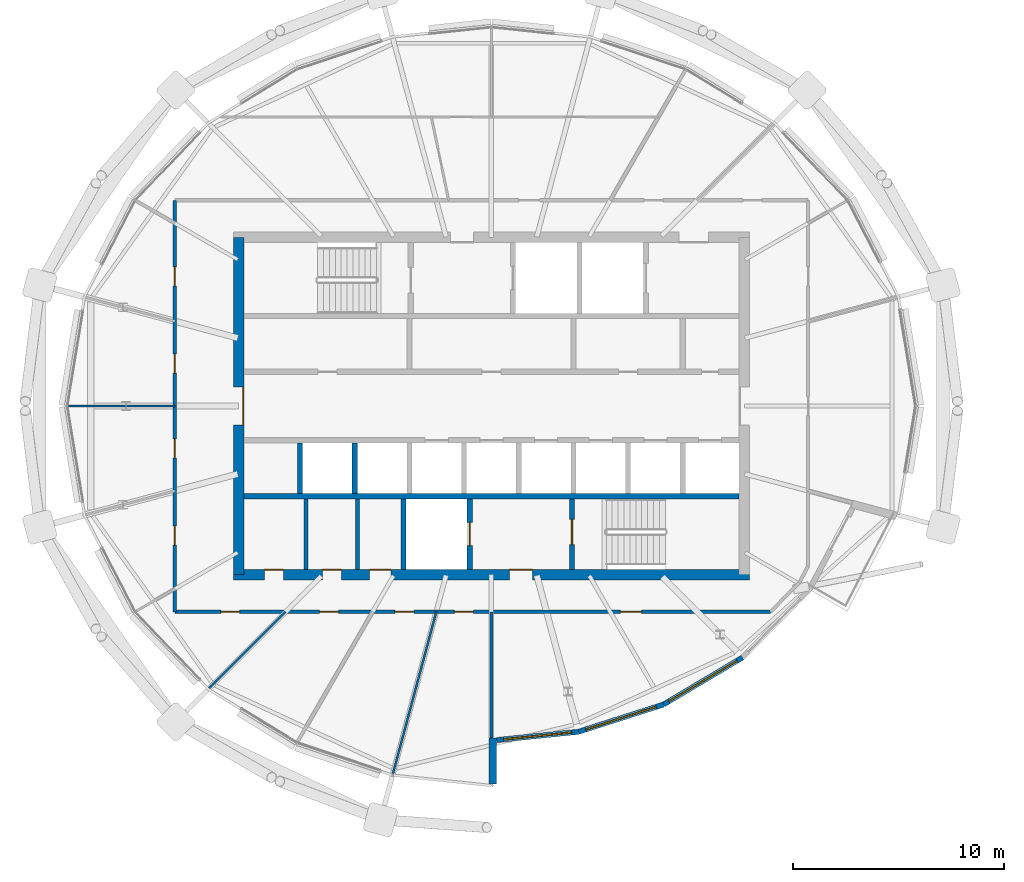
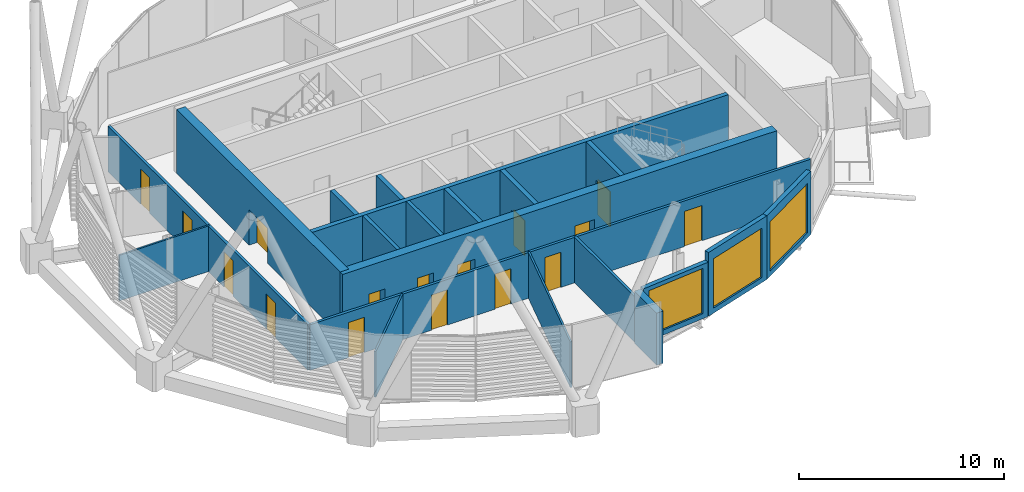
# One storey, part 18 of 31: 20 walls, 16 doors, 3 windows, 19 openings.
"""IFC4 building model written with IfcOpenShell, lengths in metres."""

from ifc_helpers import new_model, si_unit, direction, frame, frame_2d, origin, place, context, subcontext, project, spatial, rectangle, extrude, material, layer, layer_set, type_object, element, fill, save


model = new_model("IFC4")

# Units and contexts
model_context = context("Model", 3, precision=1e-05, world=origin(), true_north=direction((0.0, 1.0)))
body_context = subcontext(model_context, "Body", "Model", "MODEL_VIEW")
ifc_project = project(units=[si_unit("LENGTHUNIT", "METRE"), si_unit("AREAUNIT", "SQUARE_METRE"), si_unit("VOLUMEUNIT", "CUBIC_METRE"), si_unit("PLANEANGLEUNIT", "RADIAN"), si_unit("MASSUNIT", "GRAM", prefix="KILO")], contexts=[model_context])

# Site, building, storey
site_placement = place(None, origin())
site = spatial("IfcSite", under=ifc_project, at=site_placement, CompositionType="ELEMENT")
building_placement = place(site_placement, origin())
building = spatial("IfcBuilding", under=site, at=building_placement, Name="Rimbun Link Towers", CompositionType="ELEMENT")
storey_placement = place(building_placement, frame((0.0, 0.0, 244.699951171875)))
storey = spatial("IfcBuildingStorey", under=building, at=storey_placement, Name="L60", CompositionType="ELEMENT", Elevation=244.699951171875)

# Wall, opening, window
ifc_material_1 = material(Name="Dark enamelled glass spandrel on insulated aluminium backpan", Category="aluminium")
ifc_layer_1 = layer(ifc_material_1, 0.25)
ifc_layer_set_1 = layer_set([ifc_layer_1], Name="CS dark enamelled spandrel wall 250")
wall_type_1 = type_object("IfcWallType", Name="CS dark enamelled spandrel wall 250", PredefinedType="STANDARD", material=ifc_layer_set_1)
wall_1_placement = place(storey_placement, frame((-27.615234375, -15.45849609375, 0.0), z_axis=(0.0, 0.0, 1.0), x_axis=(-0.994869903882, -0.101162613404, 0.0)))
wall_1 = element("IfcWall", 1, at=wall_1_placement, inside=storey, type_object=wall_type_1, Name="Crease spandrel wall", PredefinedType="STANDARD", context=body_context, shape_type="SweptSolid", body=[
    extrude(rectangle(XDim=3.90478515625, YDim=0.25, at=frame_2d((1.952392578125, 0.0))), origin(), (0.0, 0.0, 1.0), 3.24365234375),
])
opening_1_placement = place(wall_1_placement, frame((0.327392578125, 0.0, 0.300048828125)))
opening_1 = element("IfcOpeningElement", 2, at=opening_1_placement, cuts=wall_1, Name="Opening WR32H270", PredefinedType="OPENING", context=body_context, shape_type="SweptSolid", body=[
    extrude(rectangle(XDim=3.25, YDim=2.699951171875, at=frame_2d((1.625, 1.35009765625))), frame((0.0, 0.135009765625, 0.0), z_axis=(0.0, -1.0, 0.0), x_axis=(1.0, 0.0, 0.0)), (0.0, 0.0, 1.0), 0.27001953125),
])
ifc_material_2 = material(Name="Aluminium framed fixed window, dark tinted low-e glass", Category="aluminium")
window_type_1 = type_object("IfcWindowType", Name="WR ribbon window 3250X2700", PartitioningType="SINGLE_PANEL", PredefinedType="WINDOW", material=ifc_material_2)
window_1_placement = place(opening_1_placement, origin())
window_1 = element("IfcWindow", 3, at=window_1_placement, inside=storey, type_object=window_type_1, Name="Crease ribbon window", OverallHeight=2.699951171875, OverallWidth=3.25, PartitioningType="SINGLE_PANEL", PredefinedType="WINDOW", context=body_context, shape_type="SweptSolid", body=[
    extrude(rectangle(XDim=3.25, YDim=2.699951171875, at=frame_2d((1.625, 1.35009765625))), frame((0.0, 0.030029296875, 0.0), z_axis=(0.0, -1.0, 0.0), x_axis=(1.0, 0.0, 0.0)), (0.0, 0.0, 1.0), 0.06005859375),
])
fill(opening_1, window_1)

wall_2_placement = place(storey_placement, frame((-23.5849609375, -14.167236328125, 0.0), z_axis=(0.0, 0.0, 1.0), x_axis=(-0.952316246709, -0.305112710737, 0.0)))
wall_2 = element("IfcWall", 4, at=wall_2_placement, inside=storey, type_object=wall_type_1, Name="Crease spandrel wall", PredefinedType="STANDARD", context=body_context, shape_type="SweptSolid", body=[
    extrude(rectangle(XDim=4.232177734375, YDim=0.25, at=frame_2d((2.1162109375, 0.0))), origin(), (0.0, 0.0, 1.0), 3.800048828125),
])
opening_2_placement = place(wall_2_placement, frame((0.365966796875, 0.0, 0.300048828125)))
opening_2 = element("IfcOpeningElement", 5, at=opening_2_placement, cuts=wall_2, Name="Opening WR35H295", PredefinedType="OPENING", context=body_context, shape_type="SweptSolid", body=[
    extrude(rectangle(XDim=3.5, YDim=2.949951171875, at=frame_2d((1.75, 1.47509765625))), frame((0.0, 0.135009765625, 0.0), z_axis=(0.0, -1.0, 0.0), x_axis=(1.0, 0.0, 0.0)), (0.0, 0.0, 1.0), 0.27001953125),
])
ifc_material_3 = material(Name="Aluminium framed fixed window, dark tinted low-e glass", Category="aluminium")
window_type_2 = type_object("IfcWindowType", Name="WR ribbon window 3500X2950", PartitioningType="SINGLE_PANEL", PredefinedType="WINDOW", material=ifc_material_3)
window_2_placement = place(opening_2_placement, origin())
window_2 = element("IfcWindow", 6, at=window_2_placement, inside=storey, type_object=window_type_2, Name="Crease ribbon window", OverallHeight=2.949951171875, OverallWidth=3.5, PartitioningType="SINGLE_PANEL", PredefinedType="WINDOW", context=body_context, shape_type="SweptSolid", body=[
    extrude(rectangle(XDim=3.5, YDim=2.949951171875, at=frame_2d((1.75, 1.47509765625))), frame((0.0, 0.030029296875, 0.0), z_axis=(0.0, -1.0, 0.0), x_axis=(1.0, 0.0, 0.0)), (0.0, 0.0, 1.0), 0.06005859375),
])
fill(opening_2, window_2)

wall_3_placement = place(storey_placement, frame((-19.8359375, -11.935546875, 0.0), z_axis=(0.0, 0.0, 1.0), x_axis=(-0.859280001548, -0.511505502354, 0.0)))
wall_3 = element("IfcWall", 7, at=wall_3_placement, inside=storey, type_object=wall_type_1, Name="Crease spandrel wall", PredefinedType="STANDARD", context=body_context, shape_type="SweptSolid", body=[
    extrude(rectangle(XDim=4.363037109375, YDim=0.25, at=frame_2d((2.181640625, 0.0))), origin(), (0.0, 0.0, 1.0), 3.800048828125),
])
opening_3_placement = place(wall_3_placement, frame((0.306640625, 0.0, 0.300048828125)))
opening_3 = element("IfcOpeningElement", 8, at=opening_3_placement, cuts=wall_3, Name="Opening WR38H295", PredefinedType="OPENING", context=body_context, shape_type="SweptSolid", body=[
    extrude(rectangle(XDim=3.75, YDim=2.949951171875, at=frame_2d((1.875, 1.47509765625))), frame((0.0, 0.135009765625, 0.0), z_axis=(0.0, -1.0, 0.0), x_axis=(1.0, 0.0, 0.0)), (0.0, 0.0, 1.0), 0.27001953125),
])
ifc_material_4 = material(Name="Aluminium framed fixed window, dark tinted low-e glass", Category="aluminium")
window_type_3 = type_object("IfcWindowType", Name="WR ribbon window 3750X2950", PartitioningType="SINGLE_PANEL", PredefinedType="WINDOW", material=ifc_material_4)
window_3_placement = place(opening_3_placement, origin())
window_3 = element("IfcWindow", 9, at=window_3_placement, inside=storey, type_object=window_type_3, Name="Crease ribbon window", OverallHeight=2.949951171875, OverallWidth=3.75, PartitioningType="SINGLE_PANEL", PredefinedType="WINDOW", context=body_context, shape_type="SweptSolid", body=[
    extrude(rectangle(XDim=3.75, YDim=2.949951171875, at=frame_2d((1.875, 1.47509765625))), frame((0.0, 0.030029296875, 0.0), z_axis=(0.0, -1.0, 0.0), x_axis=(1.0, 0.0, 0.0)), (0.0, 0.0, 1.0), 0.06005859375),
])
fill(opening_3, window_3)

# Walls
ifc_material_5 = material(Name="Dark enamelled glass spandrel on insulated aluminium backpan", Category="aluminium")
ifc_layer_2 = layer(ifc_material_5, 0.3701171875)
ifc_layer_set_2 = layer_set([ifc_layer_2], Name="CS dark enamelled spandrel wall 370")
wall_type_2 = type_object("IfcWallType", Name="CS dark enamelled spandrel wall 370", PredefinedType="STANDARD", material=ifc_layer_set_2)
wall_4_placement = place(storey_placement, frame((-31.68505859375, -15.75341796875, 0.0), z_axis=(0.0, 0.0, 1.0), x_axis=(0.0, -1.0, 0.0)))
element("IfcWall", 10, at=wall_4_placement, inside=storey, type_object=wall_type_2, Name="Crease spandrel wall", PredefinedType="STANDARD", context=body_context, shape_type="SweptSolid", body=[
    extrude(rectangle(XDim=2.179931640625, YDim=0.3701171875, at=frame_2d((1.08984375, 0.0))), origin(), (0.0, 0.0, 1.0), 3.116943359375),
])
ifc_material_6 = material(Name="Masonry blockwork", Category="masonry")
ifc_layer_3 = layer(ifc_material_6, 0.199951171875)
ifc_layer_set_3 = layer_set([ifc_layer_3], Name="Core partition 200")
wall_type_3 = type_object("IfcWallType", Name="Core partition 200", PredefinedType="PARTITIONING", material=ifc_layer_set_3)
for number, where, z_axis, x_axis, name in (
    (11, (-40.550048828125, -4.39990234375, 0.0), (0.0, 0.0, 1.0), (0.0, -1.0, 0.0), "L60 T1 core wall C1"),
    (12, (-38.10009765625, -4.39990234375, 0.0), (0.0, 0.0, 1.0), (0.0, -1.0, 0.0), "L60 T1 core wall C2"),
):
    element("IfcWall", number, at=place(storey_placement, frame(where, z_axis=z_axis, x_axis=x_axis)), inside=storey, type_object=wall_type_3, Name=name, PredefinedType="PARTITIONING", context=body_context, shape_type="SweptSolid", body=[
        extrude(rectangle(XDim=3.35009765625, YDim=0.199951171875, at=frame_2d((1.675048828125, 0.0))), origin(), (0.0, 0.0, 1.0), 3.800048828125),
    ])

# Wall, openings, doors
ifc_material_7 = material(Name="Concrete C60/75", Category="concrete")
ifc_layer_4 = layer(ifc_material_7, 0.5)
ifc_layer_set_4 = layer_set([ifc_layer_4], Name="Core shear wall 500")
wall_type_4 = type_object("IfcWallType", Name="Core shear wall 500", PredefinedType="SHEAR", material=ifc_layer_set_4)
wall_5_placement = place(storey_placement, frame((-44.0, -8.0, 0.0), z_axis=(0.0, 0.0, 1.0), x_axis=(1.0, 0.0, 0.0)))
wall_5 = element("IfcWall", 13, at=wall_5_placement, inside=storey, type_object=wall_type_4, Name="L60 T1 core wall S", PredefinedType="SHEAR", context=body_context, shape_type="SweptSolid", body=[
    extrude(rectangle(XDim=24.5, YDim=0.5, at=frame_2d((12.25, 0.0))), origin(), (0.0, 0.0, 1.0), 3.800048828125),
])
opening_4_placement = place(wall_5_placement, frame((13.10009765625, 0.0, 0.0)))
opening_4 = element("IfcOpeningElement", 14, at=opening_4_placement, cuts=wall_5, Name="Opening C1DCF01S", PredefinedType="OPENING", context=body_context, shape_type="SweptSolid", body=[
    extrude(rectangle(XDim=1.10009765625, YDim=2.10009765625, at=frame_2d((0.550048828125, 1.050048828125))), frame((0.0, 0.260009765625, 0.0), z_axis=(0.0, -1.0, 0.0), x_axis=(1.0, 0.0, 0.0)), (0.0, 0.0, 1.0), 0.52001953125),
])
opening_5_placement = place(wall_5_placement, frame((1.47509765625, 0.0, 0.0)))
opening_5 = element("IfcOpeningElement", 15, at=opening_5_placement, cuts=wall_5, Name="Opening C1DWC02S", PredefinedType="OPENING", context=body_context, shape_type="SweptSolid", body=[
    extrude(rectangle(XDim=0.89990234375, YDim=2.10009765625, at=frame_2d((0.449951171875, 1.050048828125))), frame((0.0, 0.260009765625, 0.0), z_axis=(0.0, -1.0, 0.0), x_axis=(1.0, 0.0, 0.0)), (0.0, 0.0, 1.0), 0.52001953125),
])
opening_6_placement = place(wall_5_placement, frame((4.22509765625, 0.0, 0.0)))
opening_6 = element("IfcOpeningElement", 16, at=opening_6_placement, cuts=wall_5, Name="Opening C1DWC03S", PredefinedType="OPENING", context=body_context, shape_type="SweptSolid", body=[
    extrude(rectangle(XDim=0.89990234375, YDim=2.10009765625, at=frame_2d((0.449951171875, 1.050048828125))), frame((0.0, 0.260009765625, 0.0), z_axis=(0.0, -1.0, 0.0), x_axis=(1.0, 0.0, 0.0)), (0.0, 0.0, 1.0), 0.52001953125),
])
opening_7_placement = place(wall_5_placement, frame((6.47509765625, 0.0, 0.0)))
opening_7 = element("IfcOpeningElement", 17, at=opening_7_placement, cuts=wall_5, Name="Opening C1DAW04S", PredefinedType="OPENING", context=body_context, shape_type="SweptSolid", body=[
    extrude(rectangle(XDim=1.0, YDim=2.10009765625, at=frame_2d((0.5, 1.050048828125))), frame((0.0, 0.260009765625, 0.0), z_axis=(0.0, -1.0, 0.0), x_axis=(1.0, 0.0, 0.0)), (0.0, 0.0, 1.0), 0.52001953125),
])
ifc_material_8 = material(Name="Timber", Category="wood")
door_type_1 = type_object("IfcDoorType", Name="Accessible WC door", OperationType="SINGLE_SWING_LEFT", PredefinedType="DOOR", material=ifc_material_8)
door_1_placement = place(opening_7_placement, origin())
door_1 = element("IfcDoor", 18, at=door_1_placement, inside=storey, type_object=door_type_1, Name="L60 T1 accessible wc door", OperationType="SINGLE_SWING_RIGHT", OverallHeight=2.10009765625, OverallWidth=1.0, PredefinedType="DOOR", context=body_context, shape_type="SweptSolid", body=[
    extrude(rectangle(XDim=1.0, YDim=2.10009765625, at=frame_2d((0.5, 1.050048828125))), frame((0.0, 0.25, 0.0), z_axis=(0.0, -1.0, 0.0), x_axis=(1.0, 0.0, 0.0)), (0.0, 0.0, 1.0), 0.050048828125),
])
fill(opening_7, door_1)
ifc_material_9 = material(Name="Steel fire door set", Category="steel")
door_type_2 = type_object("IfcDoorType", Name="Core fire door single", OperationType="SINGLE_SWING_LEFT", PredefinedType="DOOR", material=ifc_material_9)
door_2_placement = place(opening_4_placement, origin())
door_2 = element("IfcDoor", 19, at=door_2_placement, inside=storey, type_object=door_type_2, Name="L60 T1 firefighting lobby s door", OperationType="SINGLE_SWING_RIGHT", OverallHeight=2.10009765625, OverallWidth=1.10009765625, PredefinedType="DOOR", context=body_context, shape_type="SweptSolid", body=[
    extrude(rectangle(XDim=1.10009765625, YDim=2.10009765625, at=frame_2d((0.550048828125, 1.050048828125))), frame((0.0, 0.25, 0.0), z_axis=(0.0, -1.0, 0.0), x_axis=(1.0, 0.0, 0.0)), (0.0, 0.0, 1.0), 0.050048828125),
])
fill(opening_4, door_2)
ifc_material_10 = material(Name="Timber", Category="wood")
door_type_3 = type_object("IfcDoorType", Name="WC door", OperationType="SINGLE_SWING_LEFT", PredefinedType="DOOR", material=ifc_material_10)
door_3_placement = place(opening_5_placement, origin())
door_3 = element("IfcDoor", 20, at=door_3_placement, inside=storey, type_object=door_type_3, Name="L60 T1 male wc door", OperationType="SINGLE_SWING_LEFT", OverallHeight=2.10009765625, OverallWidth=0.89990234375, PredefinedType="DOOR", context=body_context, shape_type="SweptSolid", body=[
    extrude(rectangle(XDim=0.89990234375, YDim=2.10009765625, at=frame_2d((0.449951171875, 1.050048828125))), frame((0.0, 0.25, 0.0), z_axis=(0.0, -1.0, 0.0), x_axis=(1.0, 0.0, 0.0)), (0.0, 0.0, 1.0), 0.050048828125),
])
fill(opening_5, door_3)
door_4_placement = place(opening_6_placement, origin())
door_4 = element("IfcDoor", 21, at=door_4_placement, inside=storey, type_object=door_type_3, Name="L60 T1 female wc door", OperationType="SINGLE_SWING_RIGHT", OverallHeight=2.10009765625, OverallWidth=0.89990234375, PredefinedType="DOOR", context=body_context, shape_type="SweptSolid", body=[
    extrude(rectangle(XDim=0.89990234375, YDim=2.10009765625, at=frame_2d((0.449951171875, 1.050048828125))), frame((0.0, 0.25, 0.0), z_axis=(0.0, -1.0, 0.0), x_axis=(1.0, 0.0, 0.0)), (0.0, 0.0, 1.0), 0.050048828125),
])
fill(opening_6, door_4)

# Wall, opening, door
wall_6_placement = place(storey_placement, frame((-43.75, -8.0, 0.0), z_axis=(0.0, 0.0, 1.0), x_axis=(0.0, 1.0, 0.0)))
wall_6 = element("IfcWall", 22, at=wall_6_placement, inside=storey, type_object=wall_type_4, Name="L60 T1 core wall W", PredefinedType="SHEAR", context=body_context, shape_type="SweptSolid", body=[
    extrude(rectangle(XDim=16.0, YDim=0.5, at=frame_2d((8.0, 0.0))), origin(), (0.0, 0.0, 1.0), 3.800048828125),
])
opening_8_placement = place(wall_6_placement, frame((7.10009765625, 0.0, 0.0)))
opening_8 = element("IfcOpeningElement", 23, at=opening_8_placement, cuts=wall_6, Name="Opening C1DCL01W", PredefinedType="OPENING", context=body_context, shape_type="SweptSolid", body=[
    extrude(rectangle(XDim=1.800048828125, YDim=2.10009765625, at=frame_2d((0.89990234375, 1.050048828125))), frame((0.0, 0.260009765625, 0.0), z_axis=(0.0, -1.0, 0.0), x_axis=(1.0, 0.0, 0.0)), (0.0, 0.0, 1.0), 0.52001953125),
])
ifc_material_11 = material(Name="Steel fire door set", Category="steel")
door_type_4 = type_object("IfcDoorType", Name="Core lobby door double", OperationType="DOUBLE_DOOR_SINGLE_SWING", PredefinedType="DOOR", material=ifc_material_11)
door_5_placement = place(opening_8_placement, origin())
door_5 = element("IfcDoor", 24, at=door_5_placement, inside=storey, type_object=door_type_4, Name="L60 T1 lift lobby door", OperationType="DOUBLE_DOOR_SINGLE_SWING", OverallHeight=2.10009765625, OverallWidth=1.800048828125, PredefinedType="DOOR", context=body_context, shape_type="SweptSolid", body=[
    extrude(rectangle(XDim=1.800048828125, YDim=2.10009765625, at=frame_2d((0.89990234375, 1.050048828125))), frame((0.0, -0.2001953125, 0.0), z_axis=(0.0, -1.0, 0.0), x_axis=(1.0, 0.0, 0.0)), (0.0, 0.0, 1.0), 0.050048828125),
])
fill(opening_8, door_5)

# Wall, openings, doors
ifc_material_12 = material(Name="Plasterboard on steel stud, mineral wool", Category="steel")
ifc_layer_5 = layer(ifc_material_12, 0.14990234375)
ifc_layer_set_5 = layer_set([ifc_layer_5], Name="Corridor wall EI 30 150 mm")
wall_type_5 = type_object("IfcWallType", Name="Corridor wall EI 30 150 mm", PredefinedType="PARTITIONING", material=ifc_layer_set_5)
wall_7_placement = place(storey_placement, frame((-46.77490234375, -9.764892578125, 0.0), z_axis=(0.0, 0.0, 1.0), x_axis=(0.0, 1.0, 0.0)))
wall_7 = element("IfcWall", 25, at=wall_7_placement, inside=storey, type_object=wall_type_5, Name="Corridor wall EI 30 150 mm", PredefinedType="PARTITIONING", context=body_context, shape_type="SweptSolid", body=[
    extrude(rectangle(XDim=19.52978515625, YDim=0.14990234375, at=frame_2d((9.764892578125, 0.0))), origin(), (0.0, 0.0, 1.0), 2.72216796875),
])
opening_9_placement = place(wall_7_placement, frame((15.468017578125, 0.0, 0.0)))
opening_9 = element("IfcOpeningElement", 26, at=opening_9_placement, cuts=wall_7, Name="Opening D02", PredefinedType="OPENING", context=body_context, shape_type="SweptSolid", body=[
    extrude(rectangle(XDim=0.89990234375, YDim=2.10009765625, at=frame_2d((0.449951171875, 1.050048828125))), frame((0.0, 0.0849609375, 0.0), z_axis=(0.0, -1.0, 0.0), x_axis=(1.0, 0.0, 0.0)), (0.0, 0.0, 1.0), 0.169921875),
])
opening_10_placement = place(wall_7_placement, frame((11.327880859375, 0.0, 0.0)))
opening_10 = element("IfcOpeningElement", 27, at=opening_10_placement, cuts=wall_7, Name="Opening D02", PredefinedType="OPENING", context=body_context, shape_type="SweptSolid", body=[
    extrude(rectangle(XDim=0.89990234375, YDim=2.10009765625, at=frame_2d((0.449951171875, 1.050048828125))), frame((0.0, 0.0849609375, 0.0), z_axis=(0.0, -1.0, 0.0), x_axis=(1.0, 0.0, 0.0)), (0.0, 0.0, 1.0), 0.169921875),
])
opening_11_placement = place(wall_7_placement, frame((7.302001953125, 0.0, 0.0)))
opening_11 = element("IfcOpeningElement", 28, at=opening_11_placement, cuts=wall_7, Name="Opening D02", PredefinedType="OPENING", context=body_context, shape_type="SweptSolid", body=[
    extrude(rectangle(XDim=0.89990234375, YDim=2.10009765625, at=frame_2d((0.449951171875, 1.050048828125))), frame((0.0, 0.0849609375, 0.0), z_axis=(0.0, -1.0, 0.0), x_axis=(1.0, 0.0, 0.0)), (0.0, 0.0, 1.0), 0.169921875),
])
opening_12_placement = place(wall_7_placement, frame((3.162109375, 0.0, 0.0)))
opening_12 = element("IfcOpeningElement", 29, at=opening_12_placement, cuts=wall_7, Name="Opening D02", PredefinedType="OPENING", context=body_context, shape_type="SweptSolid", body=[
    extrude(rectangle(XDim=0.89990234375, YDim=2.10009765625, at=frame_2d((0.449951171875, 1.050048828125))), frame((0.0, 0.0849609375, 0.0), z_axis=(0.0, -1.0, 0.0), x_axis=(1.0, 0.0, 0.0)), (0.0, 0.0, 1.0), 0.169921875),
])
ifc_material_13 = material(Name="Fire-resisting timber door leaf", Category="wood")
door_type_5 = type_object("IfcDoorType", Name="Fire door FD30S 900", OperationType="NOTDEFINED", PredefinedType="DOOR", material=ifc_material_13)
door_6_placement = place(opening_9_placement, origin())
door_6 = element("IfcDoor", 30, at=door_6_placement, inside=storey, type_object=door_type_5, Name="Fire door FD30S 900 to Meeting room", OperationType="SINGLE_SWING_RIGHT", OverallHeight=2.10009765625, OverallWidth=0.89990234375, PredefinedType="DOOR", context=body_context, shape_type="SweptSolid", body=[
    extrude(rectangle(XDim=0.89990234375, YDim=2.10009765625, at=frame_2d((0.449951171875, 1.050048828125))), frame((0.0, 0.02490234375, 0.0), z_axis=(0.0, -1.0, 0.0), x_axis=(1.0, 0.0, 0.0)), (0.0, 0.0, 1.0), 0.050048828125),
])
fill(opening_9, door_6)
door_7_placement = place(opening_10_placement, origin())
door_7 = element("IfcDoor", 31, at=door_7_placement, inside=storey, type_object=door_type_5, Name="Fire door FD30S 900 to Print room", OperationType="SINGLE_SWING_LEFT", OverallHeight=2.10009765625, OverallWidth=0.89990234375, PredefinedType="DOOR", context=body_context, shape_type="SweptSolid", body=[
    extrude(rectangle(XDim=0.89990234375, YDim=2.10009765625, at=frame_2d((0.449951171875, 1.050048828125))), frame((0.0, 0.02490234375, 0.0), z_axis=(0.0, -1.0, 0.0), x_axis=(1.0, 0.0, 0.0)), (0.0, 0.0, 1.0), 0.050048828125),
])
fill(opening_10, door_7)
door_8_placement = place(opening_11_placement, origin())
door_8 = element("IfcDoor", 32, at=door_8_placement, inside=storey, type_object=door_type_5, Name="Fire door FD30S 900 to Open office", OperationType="SINGLE_SWING_RIGHT", OverallHeight=2.10009765625, OverallWidth=0.89990234375, PredefinedType="DOOR", context=body_context, shape_type="SweptSolid", body=[
    extrude(rectangle(XDim=0.89990234375, YDim=2.10009765625, at=frame_2d((0.449951171875, 1.050048828125))), frame((0.0, 0.02490234375, 0.0), z_axis=(0.0, -1.0, 0.0), x_axis=(1.0, 0.0, 0.0)), (0.0, 0.0, 1.0), 0.050048828125),
])
fill(opening_11, door_8)
door_9_placement = place(opening_12_placement, origin())
door_9 = element("IfcDoor", 33, at=door_9_placement, inside=storey, type_object=door_type_5, Name="Fire door FD30S 900 to Meeting room", OperationType="SINGLE_SWING_LEFT", OverallHeight=2.10009765625, OverallWidth=0.89990234375, PredefinedType="DOOR", context=body_context, shape_type="SweptSolid", body=[
    extrude(rectangle(XDim=0.89990234375, YDim=2.10009765625, at=frame_2d((0.449951171875, 1.050048828125))), frame((0.0, 0.02490234375, 0.0), z_axis=(0.0, -1.0, 0.0), x_axis=(1.0, 0.0, 0.0)), (0.0, 0.0, 1.0), 0.050048828125),
])
fill(opening_12, door_9)

wall_8_placement = place(storey_placement, frame((-18.5029296875, -9.764892578125, 0.0), z_axis=(0.0, 0.0, 1.0), x_axis=(-1.0, 0.0, 0.0)))
wall_8 = element("IfcWall", 34, at=wall_8_placement, inside=storey, type_object=wall_type_5, Name="Corridor wall EI 30 150 mm", PredefinedType="PARTITIONING", context=body_context, shape_type="SweptSolid", body=[
    extrude(rectangle(XDim=28.27197265625, YDim=0.14990234375, at=frame_2d((14.135986328125, 0.0))), origin(), (0.0, 0.0, 1.0), 2.72216796875),
])
opening_13_placement = place(wall_8_placement, frame((25.19189453125, 0.0, 0.0)))
opening_13 = element("IfcOpeningElement", 35, at=opening_13_placement, cuts=wall_8, Name="Opening D02", PredefinedType="OPENING", context=body_context, shape_type="SweptSolid", body=[
    extrude(rectangle(XDim=0.89990234375, YDim=2.10009765625, at=frame_2d((0.449951171875, 1.050048828125))), frame((0.0, 0.0849609375, 0.0), z_axis=(0.0, -1.0, 0.0), x_axis=(1.0, 0.0, 0.0)), (0.0, 0.0, 1.0), 0.169921875),
])
opening_14_placement = place(wall_8_placement, frame((20.498291015625, 0.0, 0.0)))
opening_14 = element("IfcOpeningElement", 36, at=opening_14_placement, cuts=wall_8, Name="Opening D02", PredefinedType="OPENING", context=body_context, shape_type="SweptSolid", body=[
    extrude(rectangle(XDim=0.89990234375, YDim=2.10009765625, at=frame_2d((0.449951171875, 1.050048828125))), frame((0.0, 0.0849609375, 0.0), z_axis=(0.0, -1.0, 0.0), x_axis=(1.0, 0.0, 0.0)), (0.0, 0.0, 1.0), 0.169921875),
])
opening_15_placement = place(wall_8_placement, frame((16.92431640625, 0.0, 0.0)))
opening_15 = element("IfcOpeningElement", 37, at=opening_15_placement, cuts=wall_8, Name="Opening D02", PredefinedType="OPENING", context=body_context, shape_type="SweptSolid", body=[
    extrude(rectangle(XDim=0.89990234375, YDim=2.10009765625, at=frame_2d((0.449951171875, 1.050048828125))), frame((0.0, 0.0849609375, 0.0), z_axis=(0.0, -1.0, 0.0), x_axis=(1.0, 0.0, 0.0)), (0.0, 0.0, 1.0), 0.169921875),
])
opening_16_placement = place(wall_8_placement, frame((14.105224609375, 0.0, 0.0)))
opening_16 = element("IfcOpeningElement", 38, at=opening_16_placement, cuts=wall_8, Name="Opening D02", PredefinedType="OPENING", context=body_context, shape_type="SweptSolid", body=[
    extrude(rectangle(XDim=0.89990234375, YDim=2.10009765625, at=frame_2d((0.449951171875, 1.050048828125))), frame((0.0, 0.0849609375, 0.0), z_axis=(0.0, -1.0, 0.0), x_axis=(1.0, 0.0, 0.0)), (0.0, 0.0, 1.0), 0.169921875),
])
opening_17_placement = place(wall_8_placement, frame((6.12353515625, 0.0, 0.0)))
opening_17 = element("IfcOpeningElement", 39, at=opening_17_placement, cuts=wall_8, Name="Opening D01", PredefinedType="OPENING", context=body_context, shape_type="SweptSolid", body=[
    extrude(rectangle(XDim=1.0, YDim=2.10009765625, at=frame_2d((0.5, 1.050048828125))), frame((0.0, 0.0849609375, 0.0), z_axis=(0.0, -1.0, 0.0), x_axis=(1.0, 0.0, 0.0)), (0.0, 0.0, 1.0), 0.169921875),
])
ifc_material_14 = material(Name="Fire-resisting timber door leaf", Category="wood")
door_type_6 = type_object("IfcDoorType", Name="Fire door FD30S 1000", OperationType="NOTDEFINED", PredefinedType="DOOR", material=ifc_material_14)
door_10_placement = place(opening_17_placement, origin())
door_10 = element("IfcDoor", 40, at=door_10_placement, inside=storey, type_object=door_type_6, Name="Fire door FD30S 1000 to Terrace office", OperationType="SINGLE_SWING_RIGHT", OverallHeight=2.10009765625, OverallWidth=1.0, PredefinedType="DOOR", context=body_context, shape_type="SweptSolid", body=[
    extrude(rectangle(XDim=1.0, YDim=2.10009765625, at=frame_2d((0.5, 1.050048828125))), frame((0.0, 0.02490234375, 0.0), z_axis=(0.0, -1.0, 0.0), x_axis=(1.0, 0.0, 0.0)), (0.0, 0.0, 1.0), 0.050048828125),
])
fill(opening_17, door_10)
door_11_placement = place(opening_13_placement, origin())
door_11 = element("IfcDoor", 41, at=door_11_placement, inside=storey, type_object=door_type_5, Name="Fire door FD30S 900 to Print room", OperationType="SINGLE_SWING_RIGHT", OverallHeight=2.10009765625, OverallWidth=0.89990234375, PredefinedType="DOOR", context=body_context, shape_type="SweptSolid", body=[
    extrude(rectangle(XDim=0.89990234375, YDim=2.10009765625, at=frame_2d((0.449951171875, 1.050048828125))), frame((0.0, 0.02490234375, 0.0), z_axis=(0.0, -1.0, 0.0), x_axis=(1.0, 0.0, 0.0)), (0.0, 0.0, 1.0), 0.050048828125),
])
fill(opening_13, door_11)
door_12_placement = place(opening_14_placement, origin())
door_12 = element("IfcDoor", 42, at=door_12_placement, inside=storey, type_object=door_type_5, Name="Fire door FD30S 900 to Open office", OperationType="SINGLE_SWING_LEFT", OverallHeight=2.10009765625, OverallWidth=0.89990234375, PredefinedType="DOOR", context=body_context, shape_type="SweptSolid", body=[
    extrude(rectangle(XDim=0.89990234375, YDim=2.10009765625, at=frame_2d((0.449951171875, 1.050048828125))), frame((0.0, 0.02490234375, 0.0), z_axis=(0.0, -1.0, 0.0), x_axis=(1.0, 0.0, 0.0)), (0.0, 0.0, 1.0), 0.050048828125),
])
fill(opening_14, door_12)
door_13_placement = place(opening_15_placement, origin())
door_13 = element("IfcDoor", 43, at=door_13_placement, inside=storey, type_object=door_type_5, Name="Fire door FD30S 900 to Meeting room", OperationType="SINGLE_SWING_RIGHT", OverallHeight=2.10009765625, OverallWidth=0.89990234375, PredefinedType="DOOR", context=body_context, shape_type="SweptSolid", body=[
    extrude(rectangle(XDim=0.89990234375, YDim=2.10009765625, at=frame_2d((0.449951171875, 1.050048828125))), frame((0.0, 0.02490234375, 0.0), z_axis=(0.0, -1.0, 0.0), x_axis=(1.0, 0.0, 0.0)), (0.0, 0.0, 1.0), 0.050048828125),
])
fill(opening_15, door_13)
door_14_placement = place(opening_16_placement, origin())
door_14 = element("IfcDoor", 44, at=door_14_placement, inside=storey, type_object=door_type_5, Name="Fire door FD30S 900 to Meeting room", OperationType="SINGLE_SWING_LEFT", OverallHeight=2.10009765625, OverallWidth=0.89990234375, PredefinedType="DOOR", context=body_context, shape_type="SweptSolid", body=[
    extrude(rectangle(XDim=0.89990234375, YDim=2.10009765625, at=frame_2d((0.449951171875, 1.050048828125))), frame((0.0, 0.02490234375, 0.0), z_axis=(0.0, -1.0, 0.0), x_axis=(1.0, 0.0, 0.0)), (0.0, 0.0, 1.0), 0.050048828125),
])
fill(opening_16, door_14)

# Walls
ifc_material_15 = material(Name="Plasterboard on steel stud", Category="steel")
ifc_layer_6 = layer(ifc_material_15, 0.10009765625)
ifc_layer_set_6 = layer_set([ifc_layer_6], Name="Plasterboard partition 100 mm")
wall_type_6 = type_object("IfcWallType", Name="Plasterboard partition 100 mm", PredefinedType="PARTITIONING", material=ifc_layer_set_6)
wall_9_placement = place(storey_placement, frame((-51.857666015625, 0.0, 0.0), z_axis=(0.0, 0.0, 1.0), x_axis=(1.0, 0.0, 0.0)))
element("IfcWall", 45, at=wall_9_placement, inside=storey, type_object=wall_type_6, Name="Plasterboard partition 100 mm", PredefinedType="PARTITIONING", context=body_context, shape_type="SweptSolid", body=[
    extrude(rectangle(XDim=5.082763671875, YDim=0.10009765625, at=frame_2d((2.54150390625, 0.0))), origin(), (0.0, 0.0, 1.0), 2.72216796875),
])
wall_10_placement = place(storey_placement, frame((-45.14208984375, -13.39208984375, 0.0), z_axis=(0.0, 0.0, 1.0), x_axis=(0.707106781187, 0.707106781187, 0.0)))
element("IfcWall", 46, at=wall_10_placement, inside=storey, type_object=wall_type_6, Name="Plasterboard partition 100 mm", PredefinedType="PARTITIONING", context=body_context, shape_type="SweptSolid", body=[
    extrude(rectangle(XDim=5.129638671875, YDim=0.10009765625, at=frame_2d((2.56494140625, 0.0))), origin(), (0.0, 0.0, 1.0), 2.72216796875),
])
wall_11_placement = place(storey_placement, frame((-36.428466796875, -17.460693359375, 0.0), z_axis=(0.0, 0.0, 1.0), x_axis=(0.258810626858, 0.965928081912, 0.0)))
element("IfcWall", 47, at=wall_11_placement, inside=storey, type_object=wall_type_6, Name="Plasterboard partition 100 mm", PredefinedType="PARTITIONING", context=body_context, shape_type="SweptSolid", body=[
    extrude(rectangle(XDim=7.96728515625, YDim=0.10009765625, at=frame_2d((3.983642578125, 0.0))), origin(), (0.0, 0.0, 1.0), 2.72216796875),
])
ifc_material_16 = material(Name="Concrete C60/75", Category="concrete")
ifc_layer_7 = layer(ifc_material_16, 0.25)
ifc_layer_set_7 = layer_set([ifc_layer_7], Name="Shaft wall 250")
wall_type_7 = type_object("IfcWallType", Name="Shaft wall 250", PredefinedType="SHEAR", material=ifc_layer_set_7)
wall_12_placement = place(storey_placement, frame((-43.5, -4.27490234375, 0.0), z_axis=(0.0, 0.0, 1.0), x_axis=(1.0, 0.0, 0.0)))
element("IfcWall", 48, at=wall_12_placement, inside=storey, type_object=wall_type_7, Name="L60 T1 core wall BS", PredefinedType="SHEAR", context=body_context, shape_type="SweptSolid", body=[
    extrude(rectangle(XDim=23.5, YDim=0.25, at=frame_2d((11.75, 0.0))), origin(), (0.0, 0.0, 1.0), 3.800048828125),
])
for number, where, z_axis, x_axis, name in (
    (49, (-40.83056640625, -4.14990234375, 0.0), (0.0, 0.0, 1.0), (0.0, 1.0, 0.0), "L60 T1 core wall DS0"),
    (50, (-38.236083984375, -4.14990234375, 0.0), (0.0, 0.0, 1.0), (0.0, 1.0, 0.0), "L60 T1 core wall DS1"),
):
    element("IfcWall", number, at=place(storey_placement, frame(where, z_axis=z_axis, x_axis=x_axis)), inside=storey, type_object=wall_type_7, Name=name, PredefinedType="SHEAR", context=body_context, shape_type="SweptSolid", body=[
        extrude(rectangle(XDim=2.39990234375, YDim=0.25, at=frame_2d((1.199951171875, 0.0))), origin(), (0.0, 0.0, 1.0), 3.800048828125),
    ])

# Wall, opening, door
wall_13_placement = place(storey_placement, frame((-27.925048828125, -4.39990234375, 0.0), z_axis=(0.0, 0.0, 1.0), x_axis=(0.0, -1.0, 0.0)))
wall_13 = element("IfcWall", 51, at=wall_13_placement, inside=storey, type_object=wall_type_7, Name="L60 T1 core wall B1", PredefinedType="SHEAR", context=body_context, shape_type="SweptSolid", body=[
    extrude(rectangle(XDim=3.35009765625, YDim=0.25, at=frame_2d((1.675048828125, 0.0))), origin(), (0.0, 0.0, 1.0), 3.800048828125),
])
opening_18_placement = place(wall_13_placement, frame((0.97509765625, 0.0, 0.0)))
opening_18 = element("IfcOpeningElement", 52, at=opening_18_placement, cuts=wall_13, Name="Opening C1DST01B1", PredefinedType="OPENING", context=body_context, shape_type="SweptSolid", body=[
    extrude(rectangle(XDim=1.199951171875, YDim=2.10009765625, at=frame_2d((0.60009765625, 1.050048828125))), frame((0.0, 0.135009765625, 0.0), z_axis=(0.0, -1.0, 0.0), x_axis=(1.0, 0.0, 0.0)), (0.0, 0.0, 1.0), 0.27001953125),
])
ifc_material_17 = material(Name="Steel fire door set", Category="steel")
door_type_7 = type_object("IfcDoorType", Name="Stair door", OperationType="SINGLE_SWING_LEFT", PredefinedType="DOOR", material=ifc_material_17)
door_15_placement = place(opening_18_placement, origin())
door_15 = element("IfcDoor", 53, at=door_15_placement, inside=storey, type_object=door_type_7, Name="L60 T1 stair b door", OperationType="SINGLE_SWING_RIGHT", OverallHeight=2.10009765625, OverallWidth=1.199951171875, PredefinedType="DOOR", context=body_context, shape_type="SweptSolid", body=[
    extrude(rectangle(XDim=1.199951171875, YDim=2.10009765625, at=frame_2d((0.60009765625, 1.050048828125))), frame((0.0, 0.02490234375, 0.0), z_axis=(0.0, -1.0, 0.0), x_axis=(1.0, 0.0, 0.0)), (0.0, 0.0, 1.0), 0.050048828125),
])
fill(opening_18, door_15)

wall_14_placement = place(storey_placement, frame((-32.77490234375, -4.39990234375, 0.0), z_axis=(0.0, 0.0, 1.0), x_axis=(0.0, -1.0, 0.0)))
wall_14 = element("IfcWall", 54, at=wall_14_placement, inside=storey, type_object=wall_type_7, Name="L60 T1 core wall B2", PredefinedType="SHEAR", context=body_context, shape_type="SweptSolid", body=[
    extrude(rectangle(XDim=3.35009765625, YDim=0.25, at=frame_2d((1.675048828125, 0.0))), origin(), (0.0, 0.0, 1.0), 3.800048828125),
])
opening_19_placement = place(wall_14_placement, frame((1.125, 0.0, 0.0)))
opening_19 = element("IfcOpeningElement", 55, at=opening_19_placement, cuts=wall_14, Name="Opening LD-T1-FF2", PredefinedType="OPENING", context=body_context, shape_type="SweptSolid", body=[
    extrude(rectangle(XDim=1.10009765625, YDim=2.10009765625, at=frame_2d((0.550048828125, 1.050048828125))), frame((0.0, 0.135009765625, 0.0), z_axis=(0.0, -1.0, 0.0), x_axis=(1.0, 0.0, 0.0)), (0.0, 0.0, 1.0), 0.27001953125),
])
ifc_material_18 = material(Name="Stainless steel grade 316", Category="steel")
door_type_8 = type_object("IfcDoorType", Name="Lift landing door", OperationType="DOUBLE_DOOR_SLIDING", PredefinedType="DOOR", material=ifc_material_18)
door_16_placement = place(opening_19_placement, origin())
door_16 = element("IfcDoor", 56, at=door_16_placement, inside=storey, type_object=door_type_8, Name="L60 T1 lift FF2 landing door", OperationType="DOUBLE_DOOR_SLIDING", OverallHeight=2.10009765625, OverallWidth=1.10009765625, PredefinedType="DOOR", context=body_context, shape_type="SweptSolid", body=[
    extrude(rectangle(XDim=1.10009765625, YDim=2.10009765625, at=frame_2d((0.550048828125, 1.050048828125))), frame((0.0, 0.02490234375, 0.0), z_axis=(0.0, -1.0, 0.0), x_axis=(1.0, 0.0, 0.0)), (0.0, 0.0, 1.0), 0.050048828125),
])
fill(opening_19, door_16)

# Walls
wall_15_placement = place(storey_placement, frame((-35.925048828125, -4.39990234375, 0.0), z_axis=(0.0, 0.0, 1.0), x_axis=(0.0, -1.0, 0.0)))
element("IfcWall", 57, at=wall_15_placement, inside=storey, type_object=wall_type_7, Name="L60 T1 core wall B3", PredefinedType="SHEAR", context=body_context, shape_type="SweptSolid", body=[
    extrude(rectangle(XDim=3.35009765625, YDim=0.25, at=frame_2d((1.675048828125, 0.0))), origin(), (0.0, 0.0, 1.0), 3.800048828125),
])
ifc_material_19 = material(Name="Plasterboard on steel stud, mineral wool", Category="steel")
ifc_layer_8 = layer(ifc_material_19, 0.14990234375)
ifc_layer_set_8 = layer_set([ifc_layer_8], Name="Tenancy separation wall EI 60 150 mm")
wall_type_8 = type_object("IfcWallType", Name="Tenancy separation wall EI 60 150 mm", PredefinedType="PARTITIONING", material=ifc_layer_set_8)
wall_16_placement = place(storey_placement, frame((-31.75, -9.764892578125, 0.0), z_axis=(0.0, 0.0, 1.0), x_axis=(0.0, -1.0, 0.0)))
element("IfcWall", 58, at=wall_16_placement, inside=storey, type_object=wall_type_8, Name="Tenancy separation wall EI 60 150 mm", PredefinedType="PARTITIONING", context=body_context, shape_type="SweptSolid", body=[
    extrude(rectangle(XDim=5.988525390625, YDim=0.14990234375, at=frame_2d((2.994140625, 0.0))), origin(), (0.0, 0.0, 1.0), 2.72216796875),
])

save(model, "model.ifc")
